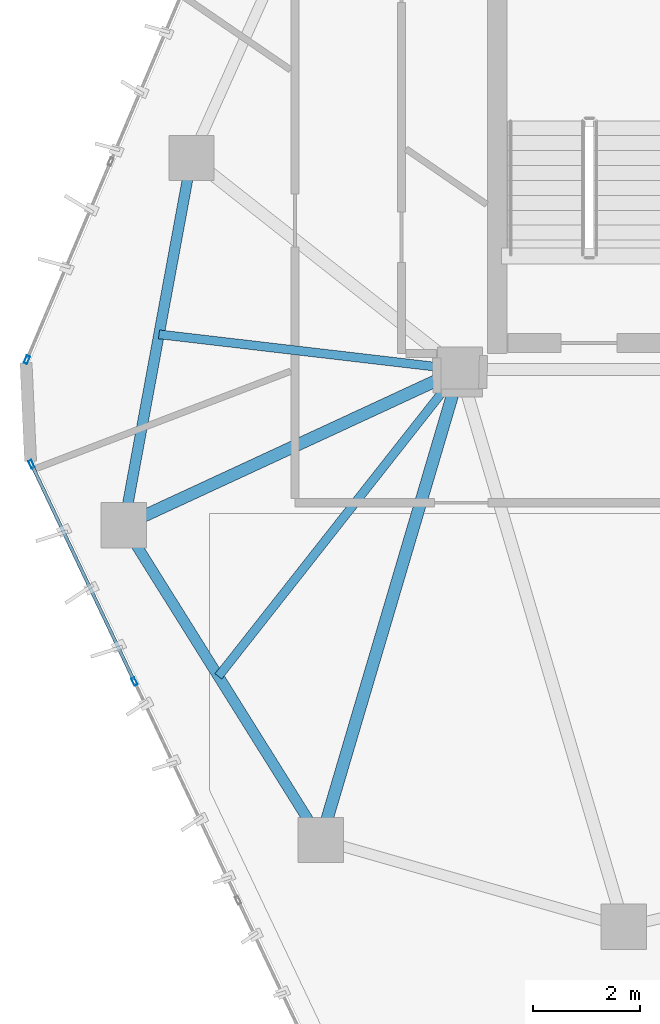
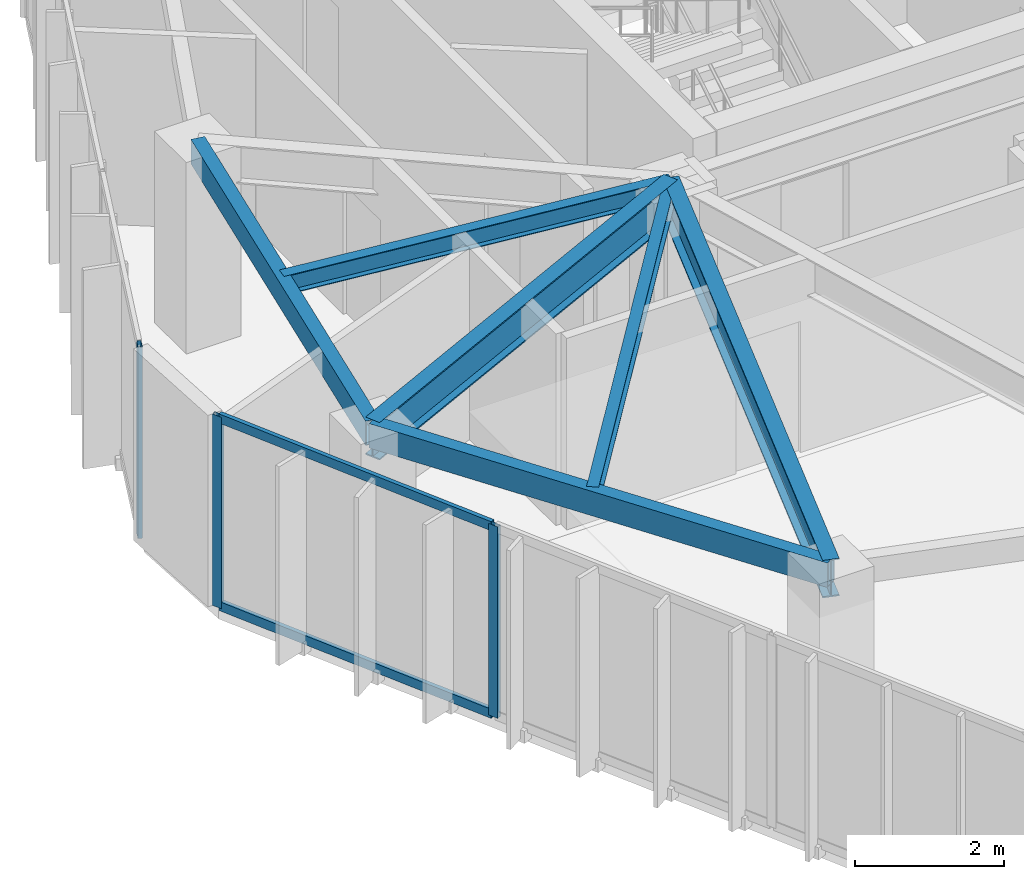
# One storey, part 4 of 20: 6 beams, 5 members, 2 elements without a shape of their own.
"""IFC4 building model written with IfcOpenShell, lengths in metres."""

from ifc_helpers import new_model, si_unit, direction, frame, origin, origin_2d, place, context, subcontext, project, spatial, hollow_rectangle, i_section, extrude, source, transform, mapped, material, layer, layer_set, material_profile, profile_set, type_object, type_shapes, element, aggregate, save


model = new_model("IFC4")

# Units and contexts
model_context = context("Model", 3, precision=1e-05, world=origin(), true_north=direction((0.0, 1.0)))
body_context = subcontext(model_context, "Body", "Model", "MODEL_VIEW")
ifc_project = project(units=[si_unit("LENGTHUNIT", "METRE"), si_unit("AREAUNIT", "SQUARE_METRE"), si_unit("VOLUMEUNIT", "CUBIC_METRE"), si_unit("PLANEANGLEUNIT", "RADIAN"), si_unit("MASSUNIT", "GRAM", prefix="KILO")], contexts=[model_context])

# Site, building, storey
site_placement = place(None, origin())
site = spatial("IfcSite", under=ifc_project, at=site_placement, CompositionType="ELEMENT")
building_placement = place(site_placement, origin())
building = spatial("IfcBuilding", under=site, at=building_placement, Name="Talar Marvaseh", CompositionType="ELEMENT")
storey_placement = place(building_placement, frame((0.0, 0.0, 274.800048828125)))
storey = spatial("IfcBuildingStorey", under=building, at=storey_placement, Name="L73", CompositionType="ELEMENT", Elevation=274.800048828125)

# Beams
ifc_material_1 = material(Name="Steel S355", Category="steel")
ifc_material_profile_1 = material_profile(ifc_material_1, hollow_rectangle(XDim=0.199951171875, YDim=0.39990234375, WallThickness=0.013916015625, at=origin_2d()), Name="RHS400x200x14")
ifc_profile_set_1 = profile_set([ifc_material_profile_1], Name="Steel S355")
beam_type_1 = type_object("IfcBeamType", Name="Zone 3 Perimeter Spandrel Beam RHS400x200x14", PredefinedType="SPANDREL", material=ifc_profile_set_1)
beam_1_placement = place(storey_placement, frame((12.388916015625, 22.576904296875, 2.93994140625), z_axis=(0.18106135948, 0.983471801377, 0.0), x_axis=(-0.983471801377, 0.18106135948, 0.0)))
element("IfcBeam", 1, at=beam_1_placement, inside=storey, type_object=beam_type_1, Name="L73 Zone 3 Perimeter Spandrel Beam RHS400x200x14", PredefinedType="SPANDREL", context=body_context, shape_type="SweptSolid", body=[
    extrude(hollow_rectangle(XDim=0.199951171875, YDim=0.39990234375, WallThickness=0.013916015625, at=origin_2d()), origin(), (0.0, 0.0, 1.0), 7.0087890625),
])
beam_2_placement = place(storey_placement, frame((16.0869140625, 16.66796875, 2.93994140625), z_axis=(-0.530505706813, 0.847681364098, 0.0), x_axis=(-0.847681364098, -0.530505706813, 0.0)))
element("IfcBeam", 2, at=beam_2_placement, inside=storey, type_object=beam_type_1, Name="L73 Zone 3 Perimeter Spandrel Beam RHS400x200x14", PredefinedType="SPANDREL", context=body_context, shape_type="SweptSolid", body=[
    extrude(hollow_rectangle(XDim=0.199951171875, YDim=0.39990234375, WallThickness=0.013916015625, at=origin_2d()), origin(), (0.0, 0.0, 1.0), 6.970703125),
])
ifc_material_profile_2 = material_profile(ifc_material_1, i_section(OverallWidth=0.166015625, OverallDepth=0.31298828125, WebThickness=0.006591796875, FlangeThickness=0.01123046875, at=origin_2d()), Name="W310x45")
ifc_profile_set_2 = profile_set([ifc_material_profile_2], Name="Steel S355")
beam_type_2 = type_object("IfcBeamType", Name="Zone 3 Secondary Floor Joist W310x45", PredefinedType="JOIST", material=ifc_profile_set_2)
beam_3_placement = place(storey_placement, frame((13.048828125, 26.161376953125, 2.9833984375), z_axis=(0.993221011039, -0.116241228622, 0.0), x_axis=(0.116241228622, 0.993221011039, 0.0)))
element("IfcBeam", 3, at=beam_3_placement, inside=storey, type_object=beam_type_2, Name="L73 Zone 3 Secondary Floor Joist W310x45", PredefinedType="JOIST", context=body_context, shape_type="SweptSolid", body=[
    extrude(i_section(OverallWidth=0.166015625, OverallDepth=0.31298828125, WebThickness=0.006591796875, FlangeThickness=0.01123046875, at=origin_2d()), origin(), (0.0, 0.0, 1.0), 5.689697265625),
])
beam_4_placement = place(storey_placement, frame((14.1640625, 19.74072265625, 2.9833984375), z_axis=(0.618727137907, 0.785605962819, 0.0), x_axis=(-0.785605962819, 0.618727137907, 0.0)))
element("IfcBeam", 4, at=beam_4_placement, inside=storey, type_object=beam_type_2, Name="L73 Zone 3 Secondary Floor Joist W310x45", PredefinedType="JOIST", context=body_context, shape_type="SweptSolid", body=[
    extrude(i_section(OverallWidth=0.166015625, OverallDepth=0.31298828125, WebThickness=0.006591796875, FlangeThickness=0.01123046875, at=origin_2d()), origin(), (0.0, 0.0, 1.0), 7.3310546875),
])
ifc_material_profile_3 = material_profile(ifc_material_1, i_section(OverallWidth=0.22998046875, OverallDepth=0.616943359375, WebThickness=0.01318359375, FlangeThickness=0.022216796875, at=origin_2d()), Name="W610x140")
ifc_profile_set_3 = profile_set([ifc_material_profile_3], Name="Steel S355")
beam_type_3 = type_object("IfcBeamType", Name="Zone 4 Radial Floor Girder W610x140", PredefinedType="BEAM", material=ifc_profile_set_3)
beam_5_placement = place(storey_placement, frame((12.388916015625, 22.576904296875, 2.83154296875), z_axis=(0.907394527995, 0.420279871709, 0.0), x_axis=(-0.420279871709, 0.907394527995, 0.0)))
element("IfcBeam", 5, at=beam_5_placement, inside=storey, type_object=beam_type_3, Name="L73 Zone 4 Radial Floor Girder W610x140", PredefinedType="BEAM", context=body_context, shape_type="SweptSolid", body=[
    extrude(i_section(OverallWidth=0.22998046875, OverallDepth=0.616943359375, WebThickness=0.01318359375, FlangeThickness=0.022216796875, at=origin_2d()), origin(), (0.0, 0.0, 1.0), 6.955078125),
])
beam_6_placement = place(storey_placement, frame((16.0869140625, 16.66796875, 2.83154296875), z_axis=(0.283702937759, 0.958912218666, 0.0), x_axis=(-0.958912218666, 0.283702937759, 0.0)))
element("IfcBeam", 6, at=beam_6_placement, inside=storey, type_object=beam_type_3, Name="L73 Zone 4 Radial Floor Girder W610x140", PredefinedType="BEAM", context=body_context, shape_type="SweptSolid", body=[
    extrude(i_section(OverallWidth=0.22998046875, OverallDepth=0.616943359375, WebThickness=0.01318359375, FlangeThickness=0.022216796875, at=origin_2d()), origin(), (0.0, 0.0, 1.0), 9.21044921875),
])

# Curtain wall, members
ifc_material_2 = material(Name="Architectural Aluminium", Category="aluminium")
ifc_layer = layer(ifc_material_2, 0.179931640625)
ifc_layer_set = layer_set([ifc_layer], Name="Architectural Aluminium")
curtain_wall_type = type_object("IfcCurtainWallType", Name="Unitised High-Wind Sky Curtain Wall Z4", PredefinedType="NOTDEFINED", material=ifc_layer_set)
curtain_wall_1_placement = place(storey_placement, origin())
curtain_wall_1 = element("IfcCurtainWall", 7, at=curtain_wall_1_placement, inside=storey, type_object=curtain_wall_type, Name="L73 Unitised High-Wind Sky Curtain Wall Z4", PredefinedType="NOTDEFINED")
ifc_material_profile_4 = material_profile(ifc_material_2, hollow_rectangle(XDim=0.06494140625, YDim=0.14990234375, WallThickness=0.00390625, at=origin_2d()), Name="RHS150x65x4")
ifc_profile_set_4 = profile_set([ifc_material_profile_4], Name="Architectural Aluminium")
member_type_1 = type_object("IfcMemberType", Name="Unitised Curtain Wall Slim Mullion RHS150x65x4", PredefinedType="MULLION", material=ifc_profile_set_4)
shared_shape_1 = source(origin(), body_context, "Body", "SweptSolid", [
    extrude(hollow_rectangle(XDim=0.06494140625, YDim=0.14990234375, WallThickness=0.00390625, at=origin_2d()), origin(), (0.0, 0.0, 1.0), 3.139892578125),
])
type_shapes(member_type_1, [shared_shape_1])
member_1_placement = place(storey_placement, frame((12.587646484375, 19.644775390625, 0.0), z_axis=(0.0, 0.0, 1.0), x_axis=(-0.903735897478, -0.42809044326, 0.0)))
member_1 = element("IfcMember", 8, at=member_1_placement, type_object=member_type_1, Name="CW-Z4 mullion 3", PredefinedType="MULLION", context=body_context, shape_type="MappedRepresentation", body=[
    mapped(shared_shape_1, transform((0.0, 0.0, 0.0), x_axis=(1.0, 0.0, 0.0), y_axis=(0.0, 1.0, 0.0), z_axis=(0.0, 0.0, 1.0), scale=1.0)),
])
member_2_placement = place(storey_placement, frame((10.656005859375, 23.722900390625, 0.0), z_axis=(0.0, 0.0, 1.0), x_axis=(-0.903735897478, -0.42809044326, 0.0)))
member_2 = element("IfcMember", 9, at=member_2_placement, type_object=member_type_1, Name="CW-Z4 mullion 4", PredefinedType="MULLION", context=body_context, shape_type="MappedRepresentation", body=[
    mapped(shared_shape_1, transform((0.0, 0.0, 0.0), x_axis=(1.0, 0.0, 0.0), y_axis=(0.0, 1.0, 0.0), z_axis=(0.0, 0.0, 1.0), scale=1.0)),
])

# Curtain wall, member
curtain_wall_2_placement = place(storey_placement, origin())
curtain_wall_2 = element("IfcCurtainWall", 10, at=curtain_wall_2_placement, inside=storey, type_object=curtain_wall_type, Name="L73 Unitised High-Wind Sky Curtain Wall Z4", PredefinedType="NOTDEFINED")
member_3_placement = place(storey_placement, frame((10.568603515625, 25.685791015625, 0.0), z_axis=(0.0, 0.0, 1.0), x_axis=(-0.92096826873, 0.389637585446, 0.0)))
member_3 = element("IfcMember", 11, at=member_3_placement, type_object=member_type_1, Name="CW-Z4 mullion 1", PredefinedType="MULLION", context=body_context, shape_type="MappedRepresentation", body=[
    mapped(shared_shape_1, transform((0.0, 0.0, 0.0), x_axis=(1.0, 0.0, 0.0), y_axis=(0.0, 1.0, 0.0), z_axis=(0.0, 0.0, 1.0), scale=1.0)),
])
aggregate(curtain_wall_2, [member_3])

# Member
ifc_material_profile_5 = material_profile(ifc_material_2, hollow_rectangle(XDim=0.06494140625, YDim=0.14990234375, WallThickness=0.00390625, at=origin_2d()), Name="RHS150x65x4")
ifc_profile_set_5 = profile_set([ifc_material_profile_5], Name="Architectural Aluminium")
member_type_2 = type_object("IfcMemberType", Name="Unitised Curtain Wall Slim Transom RHS150x65x4", PredefinedType="USERDEFINED", material=ifc_profile_set_5)
shared_shape_2 = source(origin(), body_context, "Body", "SweptSolid", [
    extrude(hollow_rectangle(XDim=0.06494140625, YDim=0.14990234375, WallThickness=0.00390625, at=origin_2d()), origin(), (0.0, 0.0, 1.0), 4.447265625),
])
type_shapes(member_type_2, [shared_shape_2])
member_4_placement = place(storey_placement, frame((12.57373046875, 19.674072265625, 0.032470703125), z_axis=(-0.428074545912, 0.903743427718, 0.0), x_axis=(-0.903743427718, -0.428074545912, 0.0)))
member_4 = element("IfcMember", 12, at=member_4_placement, type_object=member_type_2, Name="CW-Z4 transom 3.1", ObjectType="TRANSOM", PredefinedType="USERDEFINED", context=body_context, shape_type="MappedRepresentation", body=[
    mapped(shared_shape_2, transform((0.0, 0.0, 0.0), x_axis=(1.0, 0.0, 0.0), y_axis=(0.0, 1.0, 0.0), z_axis=(0.0, 0.0, 1.0), scale=1.0)),
])

member_5_placement = place(storey_placement, frame((12.57373046875, 19.674072265625, 3.107421875), z_axis=(-0.428074545912, 0.903743427718, 0.0), x_axis=(-0.903743427718, -0.428074545912, 0.0)))
member_5 = element("IfcMember", 13, at=member_5_placement, type_object=member_type_2, Name="CW-Z4 transom 3.2", ObjectType="TRANSOM", PredefinedType="USERDEFINED", context=body_context, shape_type="MappedRepresentation", body=[
    mapped(shared_shape_2, transform((0.0, 0.0, 0.0), x_axis=(1.0, 0.0, 0.0), y_axis=(0.0, 1.0, 0.0), z_axis=(0.0, 0.0, 1.0), scale=1.0)),
])

aggregate(curtain_wall_1, [member_1, member_2, member_4, member_5])

save(model, "model.ifc")
